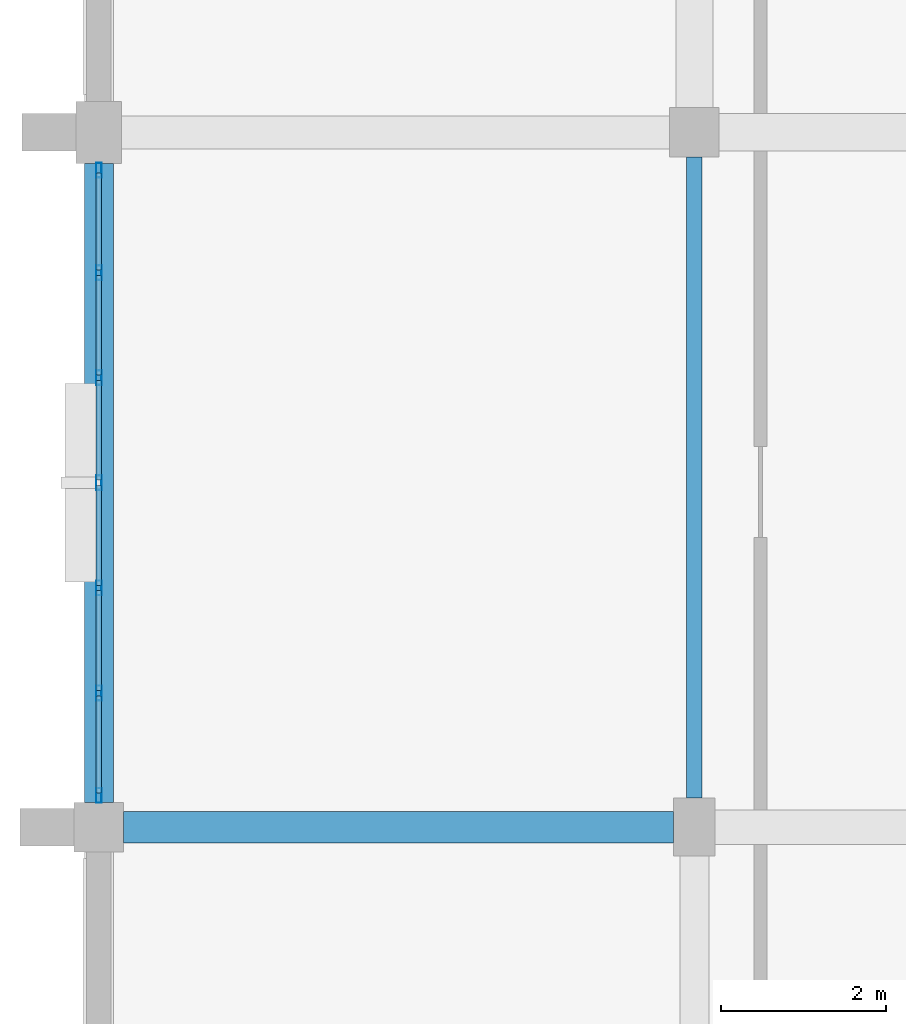
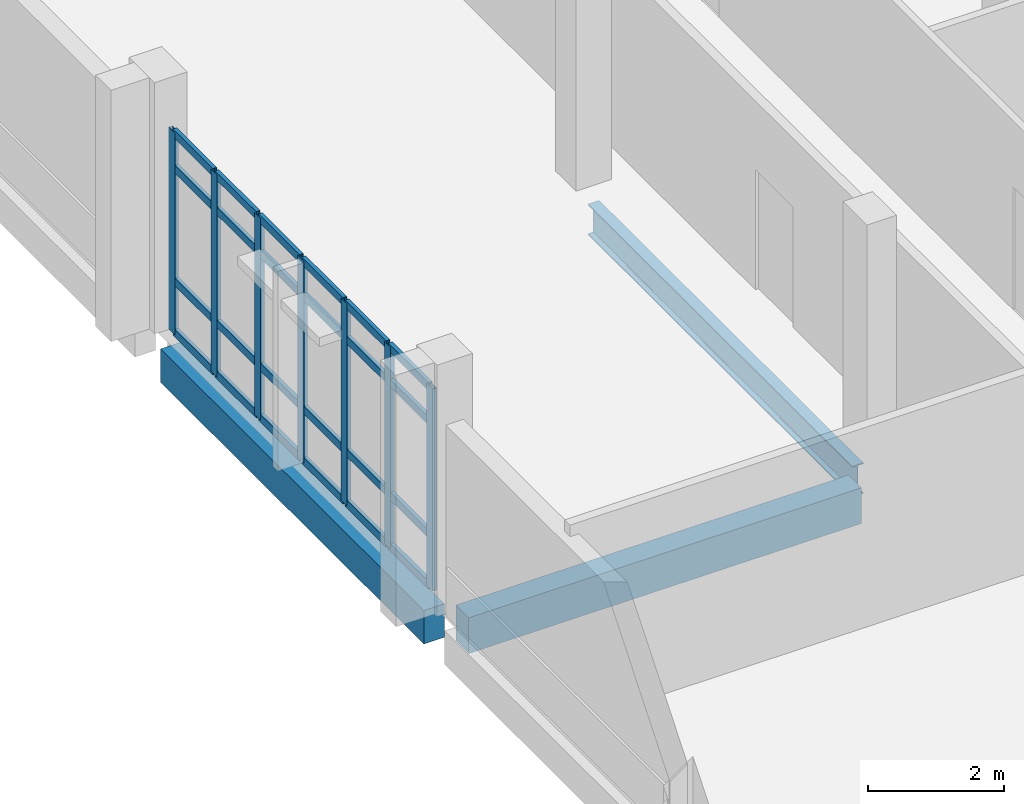
# One storey, part 20 of 57: 31 members, 3 beams, 1 element without a shape of its own.
"""IFC4 building model written with IfcOpenShell, lengths in metres."""

from ifc_helpers import new_model, si_unit, direction, frame, origin, origin_2d, place, context, subcontext, project, spatial, rectangle, hollow_rectangle, i_section, extrude, material, material_profile, profile_set, type_object, element, aggregate, save


model = new_model("IFC4")

# Units and contexts
model_context = context("Model", 3, precision=1e-05, world=origin(), true_north=direction((0.0, 1.0)))
body_context = subcontext(model_context, "Body", "Model", "MODEL_VIEW")
ifc_project = project(units=[si_unit("LENGTHUNIT", "METRE"), si_unit("AREAUNIT", "SQUARE_METRE"), si_unit("VOLUMEUNIT", "CUBIC_METRE"), si_unit("PLANEANGLEUNIT", "RADIAN"), si_unit("MASSUNIT", "GRAM", prefix="KILO")], contexts=[model_context])

# Site, building, storey
site_placement = place(None, origin())
site = spatial("IfcSite", under=ifc_project, at=site_placement, CompositionType="ELEMENT")
building_placement = place(site_placement, origin())
building = spatial("IfcBuilding", under=site, at=building_placement, Name="Kalluvel Institute of Natural Sciences", CompositionType="ELEMENT")
storey_placement = place(building_placement, frame((0.0, 0.0, 23.39990234375)))
storey = spatial("IfcBuildingStorey", under=building, at=storey_placement, Name="L05", CompositionType="ELEMENT", Elevation=23.39990234375)

# Beams
ifc_material_1 = material(Name="Steel E350 Grade 350", Category="steel")
ifc_material_profile_1 = material_profile(ifc_material_1, i_section(OverallWidth=0.18994140625, OverallDepth=0.550048828125, WebThickness=0.01123046875, FlangeThickness=0.019287109375, FilletRadius=0.01806640625, at=origin_2d()), Name="ISMB 550")
ifc_profile_set_1 = profile_set([ifc_material_profile_1], Name="Steel E350 Grade 350")
beam_type_1 = type_object("IfcBeamType", Name="BM-ISMB550", PredefinedType="BEAM", material=ifc_profile_set_1)
beam_1_placement = place(storey_placement, frame((21.199951171875, 86.35009765625, -0.574951171875), z_axis=(0.0, 1.0, 0.0), x_axis=(-1.0, 0.0, 0.0)))
element("IfcBeam", 1, at=beam_1_placement, inside=storey, type_object=beam_type_1, Name="L05 girder GIR-L05-NS-X212-Y860", PredefinedType="BEAM", context=body_context, shape_type="SweptSolid", body=[
    extrude(i_section(OverallWidth=0.18994140625, OverallDepth=0.550048828125, WebThickness=0.01123046875, FlangeThickness=0.019287109375, FilletRadius=0.01806640625, at=origin_2d()), origin(), (0.0, 0.0, 1.0), 7.75),
])
ifc_material_2 = material(Name="Concrete M40", Category="concrete")
ifc_material_profile_2 = material_profile(ifc_material_2, rectangle(XDim=0.3798828125, YDim=0.639892578125, at=origin_2d()), Name="RCB 380x640")
ifc_profile_set_2 = profile_set([ifc_material_profile_2], Name="Concrete M40")
beam_type_2 = type_object("IfcBeamType", Name="BM-RC380x640", PredefinedType="BEAM", material=ifc_profile_set_2)
beam_2_placement = place(storey_placement, frame((14.300048828125, 86.0, -0.619873046875), z_axis=(1.0, 0.0, 0.0), x_axis=(0.0, 1.0, 0.0)))
element("IfcBeam", 2, at=beam_2_placement, inside=storey, type_object=beam_type_2, Name="L05 girder GIR-L05-EW-X140-Y860", PredefinedType="BEAM", context=body_context, shape_type="SweptSolid", body=[
    extrude(rectangle(XDim=0.3798828125, YDim=0.639892578125, at=origin_2d()), origin(), (0.0, 0.0, 1.0), 6.64990234375),
])

# Curtain wall, members
ifc_material_3 = material(Name="Aluminium AW-6063 T6", Category="aluminium")
curtain_wall_type = type_object("IfcCurtainWallType", Name="CW-DRY-45", PredefinedType="USERDEFINED", material=ifc_material_3)
curtain_wall_placement = place(storey_placement, origin())
curtain_wall = element("IfcCurtainWall", 3, at=curtain_wall_placement, inside=storey, type_object=curtain_wall_type, Name="L05 Gothic lancet curtain wall CWA-L05-X140-Y864", ObjectType="UNITISED LANCET FACADE", PredefinedType="USERDEFINED")
ifc_material_profile_3 = material_profile(ifc_material_3, hollow_rectangle(XDim=0.06494140625, YDim=0.179931640625, WallThickness=0.00439453125, at=origin_2d()), Name="CWM 65x180")
ifc_profile_set_3 = profile_set([ifc_material_profile_3], Name="Aluminium AW-6063 T6")
member_type_1 = type_object("IfcMemberType", Name="CWM-65x180", PredefinedType="MULLION", material=ifc_profile_set_3)
member_1_placement = place(storey_placement, frame((14.0, 86.382568359375, 0.0), z_axis=(0.0, 0.0, 1.0), x_axis=(-1.0, 0.0, 0.0)))
member_1 = element("IfcMember", 4, at=member_1_placement, type_object=member_type_1, Name="CW-03 mullion 1", PredefinedType="MULLION", context=body_context, shape_type="SweptSolid", body=[
    extrude(hollow_rectangle(XDim=0.06494140625, YDim=0.179931640625, WallThickness=0.00439453125, at=origin_2d()), origin(), (0.0, 0.0, 1.0), 3.6201171875),
])
member_2_placement = place(storey_placement, frame((14.0, 87.620849609375, 0.0), z_axis=(0.0, 0.0, 1.0), x_axis=(-1.0, 0.0, 0.0)))
member_2 = element("IfcMember", 5, at=member_2_placement, type_object=member_type_1, Name="CW-03 mullion 2", PredefinedType="MULLION", context=body_context, shape_type="SweptSolid", body=[
    extrude(hollow_rectangle(XDim=0.06494140625, YDim=0.179931640625, WallThickness=0.00439453125, at=origin_2d()), origin(), (0.0, 0.0, 1.0), 3.6201171875),
])
member_3_placement = place(storey_placement, frame((14.0, 88.8916015625, 0.0), z_axis=(0.0, 0.0, 1.0), x_axis=(-1.0, 0.0, 0.0)))
member_3 = element("IfcMember", 6, at=member_3_placement, type_object=member_type_1, Name="CW-03 mullion 3", PredefinedType="MULLION", context=body_context, shape_type="SweptSolid", body=[
    extrude(hollow_rectangle(XDim=0.06494140625, YDim=0.179931640625, WallThickness=0.00439453125, at=origin_2d()), origin(), (0.0, 0.0, 1.0), 3.6201171875),
])
member_4_placement = place(storey_placement, frame((14.0, 90.16259765625, 0.0), z_axis=(0.0, 0.0, 1.0), x_axis=(-1.0, 0.0, 0.0)))
member_4 = element("IfcMember", 7, at=member_4_placement, type_object=member_type_1, Name="CW-03 mullion 4", PredefinedType="MULLION", context=body_context, shape_type="SweptSolid", body=[
    extrude(hollow_rectangle(XDim=0.06494140625, YDim=0.179931640625, WallThickness=0.00439453125, at=origin_2d()), origin(), (0.0, 0.0, 1.0), 3.6201171875),
])
member_5_placement = place(storey_placement, frame((14.0, 91.433349609375, 0.0), z_axis=(0.0, 0.0, 1.0), x_axis=(-1.0, 0.0, 0.0)))
member_5 = element("IfcMember", 8, at=member_5_placement, type_object=member_type_1, Name="CW-03 mullion 5", PredefinedType="MULLION", context=body_context, shape_type="SweptSolid", body=[
    extrude(hollow_rectangle(XDim=0.06494140625, YDim=0.179931640625, WallThickness=0.00439453125, at=origin_2d()), origin(), (0.0, 0.0, 1.0), 3.6201171875),
])
member_6_placement = place(storey_placement, frame((14.0, 92.7041015625, 0.0), z_axis=(0.0, 0.0, 1.0), x_axis=(-1.0, 0.0, 0.0)))
member_6 = element("IfcMember", 9, at=member_6_placement, type_object=member_type_1, Name="CW-03 mullion 6", PredefinedType="MULLION", context=body_context, shape_type="SweptSolid", body=[
    extrude(hollow_rectangle(XDim=0.06494140625, YDim=0.179931640625, WallThickness=0.00439453125, at=origin_2d()), origin(), (0.0, 0.0, 1.0), 3.6201171875),
])
member_7_placement = place(storey_placement, frame((14.0, 93.9423828125, 0.0), z_axis=(0.0, 0.0, 1.0), x_axis=(-1.0, 0.0, 0.0)))
member_7 = element("IfcMember", 10, at=member_7_placement, type_object=member_type_1, Name="CW-03 mullion 7", PredefinedType="MULLION", context=body_context, shape_type="SweptSolid", body=[
    extrude(hollow_rectangle(XDim=0.06494140625, YDim=0.179931640625, WallThickness=0.00439453125, at=origin_2d()), origin(), (0.0, 0.0, 1.0), 3.6201171875),
])
ifc_material_profile_4 = material_profile(ifc_material_3, hollow_rectangle(XDim=0.06494140625, YDim=0.139892578125, WallThickness=0.00439453125, at=origin_2d()), Name="CWT 65x140")
ifc_profile_set_4 = profile_set([ifc_material_profile_4], Name="Aluminium AW-6063 T6")
member_type_2 = type_object("IfcMemberType", Name="CWT-65x140", PredefinedType="USERDEFINED", material=ifc_profile_set_4)
member_8_placement = place(storey_placement, frame((14.0, 86.4150390625, 0.03271484375), z_axis=(0.0, 1.0, 0.0), x_axis=(-1.0, 0.0, 0.0)))
member_8 = element("IfcMember", 11, at=member_8_placement, type_object=member_type_2, Name="CW-03 transom 1.1", ObjectType="TRANSOM", PredefinedType="USERDEFINED", context=body_context, shape_type="SweptSolid", body=[
    extrude(hollow_rectangle(XDim=0.06494140625, YDim=0.139892578125, WallThickness=0.00439453125, at=origin_2d()), origin(), (0.0, 0.0, 1.0), 1.17333984375),
])
member_9_placement = place(storey_placement, frame((14.0, 86.4150390625, 0.9501953125), z_axis=(0.0, 1.0, 0.0), x_axis=(-1.0, 0.0, 0.0)))
member_9 = element("IfcMember", 12, at=member_9_placement, type_object=member_type_2, Name="CW-03 transom 1.2", ObjectType="TRANSOM", PredefinedType="USERDEFINED", context=body_context, shape_type="SweptSolid", body=[
    extrude(hollow_rectangle(XDim=0.06494140625, YDim=0.139892578125, WallThickness=0.00439453125, at=origin_2d()), origin(), (0.0, 0.0, 1.0), 1.17333984375),
])
member_10_placement = place(storey_placement, frame((14.0, 86.4150390625, 2.97021484375), z_axis=(0.0, 1.0, 0.0), x_axis=(-1.0, 0.0, 0.0)))
member_10 = element("IfcMember", 13, at=member_10_placement, type_object=member_type_2, Name="CW-03 transom 1.3", ObjectType="TRANSOM", PredefinedType="USERDEFINED", context=body_context, shape_type="SweptSolid", body=[
    extrude(hollow_rectangle(XDim=0.06494140625, YDim=0.139892578125, WallThickness=0.00439453125, at=origin_2d()), origin(), (0.0, 0.0, 1.0), 1.17333984375),
])
member_11_placement = place(storey_placement, frame((14.0, 86.4150390625, 3.587646484375), z_axis=(0.0, 1.0, 0.0), x_axis=(-1.0, 0.0, 0.0)))
member_11 = element("IfcMember", 14, at=member_11_placement, type_object=member_type_2, Name="CW-03 transom 1.4", ObjectType="TRANSOM", PredefinedType="USERDEFINED", context=body_context, shape_type="SweptSolid", body=[
    extrude(hollow_rectangle(XDim=0.06494140625, YDim=0.139892578125, WallThickness=0.00439453125, at=origin_2d()), origin(), (0.0, 0.0, 1.0), 1.17333984375),
])
member_12_placement = place(storey_placement, frame((14.0, 87.6533203125, 0.03271484375), z_axis=(0.0, 1.0, 0.0), x_axis=(-1.0, 0.0, 0.0)))
member_12 = element("IfcMember", 15, at=member_12_placement, type_object=member_type_2, Name="CW-03 transom 2.1", ObjectType="TRANSOM", PredefinedType="USERDEFINED", context=body_context, shape_type="SweptSolid", body=[
    extrude(hollow_rectangle(XDim=0.06494140625, YDim=0.139892578125, WallThickness=0.00439453125, at=origin_2d()), origin(), (0.0, 0.0, 1.0), 1.205810546875),
])
member_13_placement = place(storey_placement, frame((14.0, 87.6533203125, 0.9501953125), z_axis=(0.0, 1.0, 0.0), x_axis=(-1.0, 0.0, 0.0)))
member_13 = element("IfcMember", 16, at=member_13_placement, type_object=member_type_2, Name="CW-03 transom 2.2", ObjectType="TRANSOM", PredefinedType="USERDEFINED", context=body_context, shape_type="SweptSolid", body=[
    extrude(hollow_rectangle(XDim=0.06494140625, YDim=0.139892578125, WallThickness=0.00439453125, at=origin_2d()), origin(), (0.0, 0.0, 1.0), 1.205810546875),
])
member_14_placement = place(storey_placement, frame((14.0, 87.6533203125, 2.97021484375), z_axis=(0.0, 1.0, 0.0), x_axis=(-1.0, 0.0, 0.0)))
member_14 = element("IfcMember", 17, at=member_14_placement, type_object=member_type_2, Name="CW-03 transom 2.3", ObjectType="TRANSOM", PredefinedType="USERDEFINED", context=body_context, shape_type="SweptSolid", body=[
    extrude(hollow_rectangle(XDim=0.06494140625, YDim=0.139892578125, WallThickness=0.00439453125, at=origin_2d()), origin(), (0.0, 0.0, 1.0), 1.205810546875),
])
member_15_placement = place(storey_placement, frame((14.0, 87.6533203125, 3.587646484375), z_axis=(0.0, 1.0, 0.0), x_axis=(-1.0, 0.0, 0.0)))
member_15 = element("IfcMember", 18, at=member_15_placement, type_object=member_type_2, Name="CW-03 transom 2.4", ObjectType="TRANSOM", PredefinedType="USERDEFINED", context=body_context, shape_type="SweptSolid", body=[
    extrude(hollow_rectangle(XDim=0.06494140625, YDim=0.139892578125, WallThickness=0.00439453125, at=origin_2d()), origin(), (0.0, 0.0, 1.0), 1.205810546875),
])
member_16_placement = place(storey_placement, frame((14.0, 88.924072265625, 0.03271484375), z_axis=(0.0, 1.0, 0.0), x_axis=(-1.0, 0.0, 0.0)))
member_16 = element("IfcMember", 19, at=member_16_placement, type_object=member_type_2, Name="CW-03 transom 3.1", ObjectType="TRANSOM", PredefinedType="USERDEFINED", context=body_context, shape_type="SweptSolid", body=[
    extrude(hollow_rectangle(XDim=0.06494140625, YDim=0.139892578125, WallThickness=0.00439453125, at=origin_2d()), origin(), (0.0, 0.0, 1.0), 1.205810546875),
])
member_17_placement = place(storey_placement, frame((14.0, 88.924072265625, 0.9501953125), z_axis=(0.0, 1.0, 0.0), x_axis=(-1.0, 0.0, 0.0)))
member_17 = element("IfcMember", 20, at=member_17_placement, type_object=member_type_2, Name="CW-03 transom 3.2", ObjectType="TRANSOM", PredefinedType="USERDEFINED", context=body_context, shape_type="SweptSolid", body=[
    extrude(hollow_rectangle(XDim=0.06494140625, YDim=0.139892578125, WallThickness=0.00439453125, at=origin_2d()), origin(), (0.0, 0.0, 1.0), 1.205810546875),
])
member_18_placement = place(storey_placement, frame((14.0, 88.924072265625, 2.97021484375), z_axis=(0.0, 1.0, 0.0), x_axis=(-1.0, 0.0, 0.0)))
member_18 = element("IfcMember", 21, at=member_18_placement, type_object=member_type_2, Name="CW-03 transom 3.3", ObjectType="TRANSOM", PredefinedType="USERDEFINED", context=body_context, shape_type="SweptSolid", body=[
    extrude(hollow_rectangle(XDim=0.06494140625, YDim=0.139892578125, WallThickness=0.00439453125, at=origin_2d()), origin(), (0.0, 0.0, 1.0), 1.205810546875),
])
member_19_placement = place(storey_placement, frame((14.0, 88.924072265625, 3.587646484375), z_axis=(0.0, 1.0, 0.0), x_axis=(-1.0, 0.0, 0.0)))
member_19 = element("IfcMember", 22, at=member_19_placement, type_object=member_type_2, Name="CW-03 transom 3.4", ObjectType="TRANSOM", PredefinedType="USERDEFINED", context=body_context, shape_type="SweptSolid", body=[
    extrude(hollow_rectangle(XDim=0.06494140625, YDim=0.139892578125, WallThickness=0.00439453125, at=origin_2d()), origin(), (0.0, 0.0, 1.0), 1.205810546875),
])
member_20_placement = place(storey_placement, frame((14.0, 90.195068359375, 0.03271484375), z_axis=(0.0, 1.0, 0.0), x_axis=(-1.0, 0.0, 0.0)))
member_20 = element("IfcMember", 23, at=member_20_placement, type_object=member_type_2, Name="CW-03 transom 4.1", ObjectType="TRANSOM", PredefinedType="USERDEFINED", context=body_context, shape_type="SweptSolid", body=[
    extrude(hollow_rectangle(XDim=0.06494140625, YDim=0.139892578125, WallThickness=0.00439453125, at=origin_2d()), origin(), (0.0, 0.0, 1.0), 1.205810546875),
])
member_21_placement = place(storey_placement, frame((14.0, 90.195068359375, 0.9501953125), z_axis=(0.0, 1.0, 0.0), x_axis=(-1.0, 0.0, 0.0)))
member_21 = element("IfcMember", 24, at=member_21_placement, type_object=member_type_2, Name="CW-03 transom 4.2", ObjectType="TRANSOM", PredefinedType="USERDEFINED", context=body_context, shape_type="SweptSolid", body=[
    extrude(hollow_rectangle(XDim=0.06494140625, YDim=0.139892578125, WallThickness=0.00439453125, at=origin_2d()), origin(), (0.0, 0.0, 1.0), 1.205810546875),
])
member_22_placement = place(storey_placement, frame((14.0, 90.195068359375, 2.97021484375), z_axis=(0.0, 1.0, 0.0), x_axis=(-1.0, 0.0, 0.0)))
member_22 = element("IfcMember", 25, at=member_22_placement, type_object=member_type_2, Name="CW-03 transom 4.3", ObjectType="TRANSOM", PredefinedType="USERDEFINED", context=body_context, shape_type="SweptSolid", body=[
    extrude(hollow_rectangle(XDim=0.06494140625, YDim=0.139892578125, WallThickness=0.00439453125, at=origin_2d()), origin(), (0.0, 0.0, 1.0), 1.205810546875),
])
member_23_placement = place(storey_placement, frame((14.0, 90.195068359375, 3.587646484375), z_axis=(0.0, 1.0, 0.0), x_axis=(-1.0, 0.0, 0.0)))
member_23 = element("IfcMember", 26, at=member_23_placement, type_object=member_type_2, Name="CW-03 transom 4.4", ObjectType="TRANSOM", PredefinedType="USERDEFINED", context=body_context, shape_type="SweptSolid", body=[
    extrude(hollow_rectangle(XDim=0.06494140625, YDim=0.139892578125, WallThickness=0.00439453125, at=origin_2d()), origin(), (0.0, 0.0, 1.0), 1.205810546875),
])
member_24_placement = place(storey_placement, frame((14.0, 91.4658203125, 0.03271484375), z_axis=(0.0, 1.0, 0.0), x_axis=(-1.0, 0.0, 0.0)))
member_24 = element("IfcMember", 27, at=member_24_placement, type_object=member_type_2, Name="CW-03 transom 5.1", ObjectType="TRANSOM", PredefinedType="USERDEFINED", context=body_context, shape_type="SweptSolid", body=[
    extrude(hollow_rectangle(XDim=0.06494140625, YDim=0.139892578125, WallThickness=0.00439453125, at=origin_2d()), origin(), (0.0, 0.0, 1.0), 1.205810546875),
])
member_25_placement = place(storey_placement, frame((14.0, 91.4658203125, 0.9501953125), z_axis=(0.0, 1.0, 0.0), x_axis=(-1.0, 0.0, 0.0)))
member_25 = element("IfcMember", 28, at=member_25_placement, type_object=member_type_2, Name="CW-03 transom 5.2", ObjectType="TRANSOM", PredefinedType="USERDEFINED", context=body_context, shape_type="SweptSolid", body=[
    extrude(hollow_rectangle(XDim=0.06494140625, YDim=0.139892578125, WallThickness=0.00439453125, at=origin_2d()), origin(), (0.0, 0.0, 1.0), 1.205810546875),
])
member_26_placement = place(storey_placement, frame((14.0, 91.4658203125, 2.97021484375), z_axis=(0.0, 1.0, 0.0), x_axis=(-1.0, 0.0, 0.0)))
member_26 = element("IfcMember", 29, at=member_26_placement, type_object=member_type_2, Name="CW-03 transom 5.3", ObjectType="TRANSOM", PredefinedType="USERDEFINED", context=body_context, shape_type="SweptSolid", body=[
    extrude(hollow_rectangle(XDim=0.06494140625, YDim=0.139892578125, WallThickness=0.00439453125, at=origin_2d()), origin(), (0.0, 0.0, 1.0), 1.205810546875),
])
member_27_placement = place(storey_placement, frame((14.0, 91.4658203125, 3.587646484375), z_axis=(0.0, 1.0, 0.0), x_axis=(-1.0, 0.0, 0.0)))
member_27 = element("IfcMember", 30, at=member_27_placement, type_object=member_type_2, Name="CW-03 transom 5.4", ObjectType="TRANSOM", PredefinedType="USERDEFINED", context=body_context, shape_type="SweptSolid", body=[
    extrude(hollow_rectangle(XDim=0.06494140625, YDim=0.139892578125, WallThickness=0.00439453125, at=origin_2d()), origin(), (0.0, 0.0, 1.0), 1.205810546875),
])
member_28_placement = place(storey_placement, frame((14.0, 92.736572265625, 0.03271484375), z_axis=(0.0, 1.0, 0.0), x_axis=(-1.0, 0.0, 0.0)))
member_28 = element("IfcMember", 31, at=member_28_placement, type_object=member_type_2, Name="CW-03 transom 6.1", ObjectType="TRANSOM", PredefinedType="USERDEFINED", context=body_context, shape_type="SweptSolid", body=[
    extrude(hollow_rectangle(XDim=0.06494140625, YDim=0.139892578125, WallThickness=0.00439453125, at=origin_2d()), origin(), (0.0, 0.0, 1.0), 1.17333984375),
])
member_29_placement = place(storey_placement, frame((14.0, 92.736572265625, 0.9501953125), z_axis=(0.0, 1.0, 0.0), x_axis=(-1.0, 0.0, 0.0)))
member_29 = element("IfcMember", 32, at=member_29_placement, type_object=member_type_2, Name="CW-03 transom 6.2", ObjectType="TRANSOM", PredefinedType="USERDEFINED", context=body_context, shape_type="SweptSolid", body=[
    extrude(hollow_rectangle(XDim=0.06494140625, YDim=0.139892578125, WallThickness=0.00439453125, at=origin_2d()), origin(), (0.0, 0.0, 1.0), 1.17333984375),
])
member_30_placement = place(storey_placement, frame((14.0, 92.736572265625, 2.97021484375), z_axis=(0.0, 1.0, 0.0), x_axis=(-1.0, 0.0, 0.0)))
member_30 = element("IfcMember", 33, at=member_30_placement, type_object=member_type_2, Name="CW-03 transom 6.3", ObjectType="TRANSOM", PredefinedType="USERDEFINED", context=body_context, shape_type="SweptSolid", body=[
    extrude(hollow_rectangle(XDim=0.06494140625, YDim=0.139892578125, WallThickness=0.00439453125, at=origin_2d()), origin(), (0.0, 0.0, 1.0), 1.17333984375),
])
member_31_placement = place(storey_placement, frame((14.0, 92.736572265625, 3.587646484375), z_axis=(0.0, 1.0, 0.0), x_axis=(-1.0, 0.0, 0.0)))
member_31 = element("IfcMember", 34, at=member_31_placement, type_object=member_type_2, Name="CW-03 transom 6.4", ObjectType="TRANSOM", PredefinedType="USERDEFINED", context=body_context, shape_type="SweptSolid", body=[
    extrude(hollow_rectangle(XDim=0.06494140625, YDim=0.139892578125, WallThickness=0.00439453125, at=origin_2d()), origin(), (0.0, 0.0, 1.0), 1.17333984375),
])
aggregate(curtain_wall, [member_1, member_2, member_3, member_4, member_5, member_6, member_7, member_8, member_9, member_10, member_11, member_12, member_13, member_14, member_15, member_16, member_17, member_18, member_19, member_20, member_21, member_22, member_23, member_24, member_25, member_26, member_27, member_28, member_29, member_30, member_31])

# Beam
ifc_material_profile_5 = material_profile(ifc_material_2, rectangle(XDim=0.35009765625, YDim=0.60009765625, at=origin_2d()), Name="RCB 350x600")
ifc_profile_set_5 = profile_set([ifc_material_profile_5], Name="Concrete M40")
beam_type_3 = type_object("IfcBeamType", Name="SP-RC350x600", PredefinedType="SPANDREL", material=ifc_profile_set_5)
beam_3_placement = place(storey_placement, frame((14.0, 86.300048828125, -0.599853515625), z_axis=(0.0, 1.0, 0.0), x_axis=(-1.0, 0.0, 0.0)))
element("IfcBeam", 35, at=beam_3_placement, inside=storey, type_object=beam_type_3, Name="L05 girder GIR-L05-NS-X140-Y860", PredefinedType="SPANDREL", context=body_context, shape_type="SweptSolid", body=[
    extrude(rectangle(XDim=0.35009765625, YDim=0.60009765625, at=origin_2d()), origin(), (0.0, 0.0, 1.0), 7.724853515625),
])

save(model, "model.ifc")
